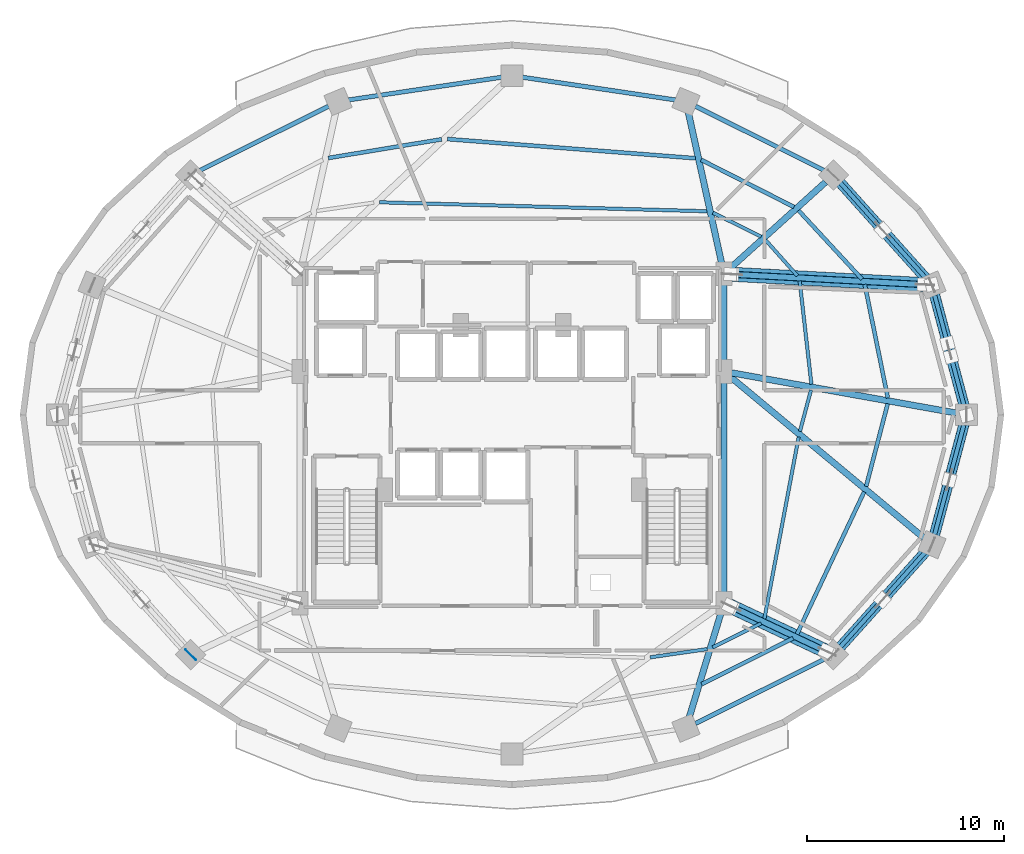
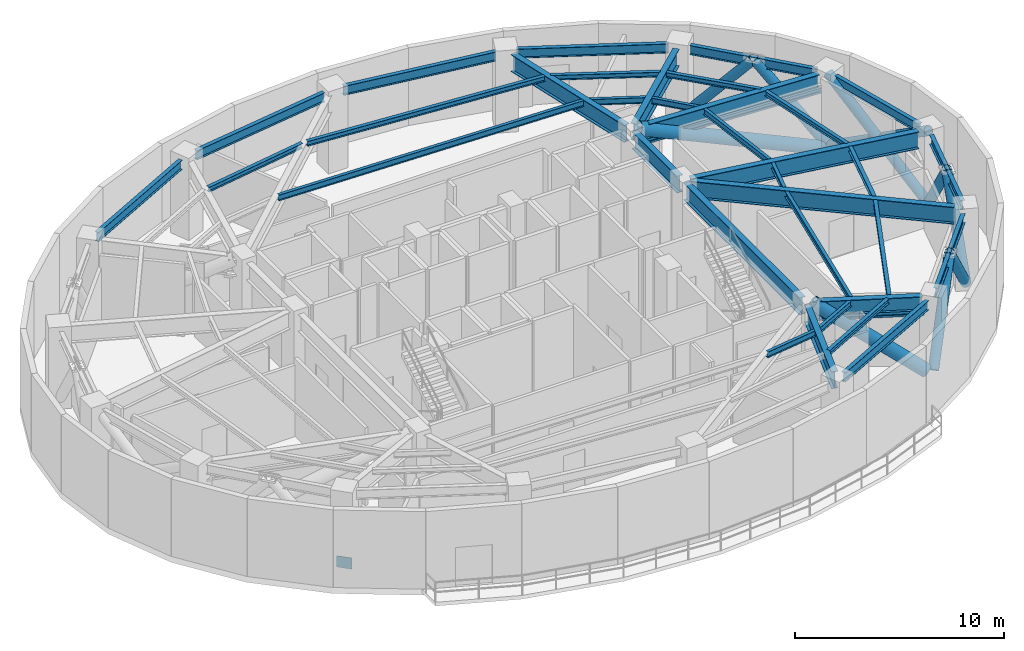
# One storey, part 2 of 11: 34 beams, 13 members, 1 plate.
"""IFC4 building model written with IfcOpenShell, lengths in metres."""

from ifc_helpers import new_model, si_unit, direction, frame, origin, origin_2d, place, context, subcontext, project, spatial, rectangle, hollow_rectangle, hollow_circle, i_section, extrude, material, layer, layer_set, material_profile, profile_set, type_object, element, save


model = new_model("IFC4")

# Units and contexts
model_context = context("Model", 3, precision=1e-05, world=origin(), true_north=direction((0.0, 1.0)))
body_context = subcontext(model_context, "Body", "Model", "MODEL_VIEW")
ifc_project = project(units=[si_unit("LENGTHUNIT", "METRE"), si_unit("AREAUNIT", "SQUARE_METRE"), si_unit("VOLUMEUNIT", "CUBIC_METRE"), si_unit("PLANEANGLEUNIT", "RADIAN"), si_unit("MASSUNIT", "GRAM", prefix="KILO")], contexts=[model_context])

# Site, building, storey
site_placement = place(None, origin())
site = spatial("IfcSite", under=ifc_project, at=site_placement, CompositionType="ELEMENT")
building_placement = place(site_placement, origin())
building = spatial("IfcBuilding", under=site, at=building_placement, Name="Vorneva Point Tower", CompositionType="ELEMENT")
storey_placement = place(building_placement, frame((0.0, 0.0, 124.300048828125)))
storey = spatial("IfcBuildingStorey", under=building, at=storey_placement, Name="L33", CompositionType="ELEMENT", Elevation=124.300048828125)

# Beams
ifc_material_1 = material(Name="Steel S460", Category="steel")
ifc_material_profile_1 = material_profile(ifc_material_1, i_section(OverallWidth=0.320068359375, OverallDepth=0.998046875, WebThickness=0.01708984375, FlangeThickness=0.027099609375, at=origin_2d()), Name="100Sh2")
ifc_profile_set_1 = profile_set([ifc_material_profile_1], Name="Steel S460")
beam_type_1 = type_object("IfcBeamType", Name="BM-GRD-100Sh2", PredefinedType="USERDEFINED", material=ifc_profile_set_1)
beam_1_placement = place(storey_placement, frame((60.5205078125, 26.0947265625, 4.041015625), z_axis=(-0.984378310682, 0.176066298476, 0.0), x_axis=(-0.176066298476, -0.984378310682, 0.0)))
element("IfcBeam", 1, at=beam_1_placement, inside=storey, type_object=beam_type_1, Name="L33 Radial Primary Girder 01", ObjectType="GIRDER", PredefinedType="USERDEFINED", context=body_context, shape_type="SweptSolid", body=[
    extrude(i_section(OverallWidth=0.320068359375, OverallDepth=0.998046875, WebThickness=0.01708984375, FlangeThickness=0.027099609375, at=origin_2d()), origin(), (0.0, 0.0, 1.0), 11.6171875),
])
beam_2_placement = place(storey_placement, frame((58.75830078125, 32.611083984375, 4.041015625), z_axis=(-0.998554075878, 0.053756465161, 0.0), x_axis=(-0.053756465161, -0.998554075878, 0.0)))
element("IfcBeam", 2, at=beam_2_placement, inside=storey, type_object=beam_type_1, Name="L33 Radial Primary Girder 02", ObjectType="GIRDER", PredefinedType="USERDEFINED", context=body_context, shape_type="SweptSolid", body=[
    extrude(i_section(OverallWidth=0.320068359375, OverallDepth=0.998046875, WebThickness=0.01708984375, FlangeThickness=0.027099609375, at=origin_2d()), origin(), (0.0, 0.0, 1.0), 9.6826171875),
])
beam_3_placement = place(storey_placement, frame((53.899658203125, 37.801513671875, 4.041015625), z_axis=(-0.742097300344, -0.670292172729, 0.0), x_axis=(0.670292172729, -0.742097300344, 0.0)))
element("IfcBeam", 3, at=beam_3_placement, inside=storey, type_object=beam_type_1, Name="L33 Radial Primary Girder 03", ObjectType="GIRDER", PredefinedType="USERDEFINED", context=body_context, shape_type="SweptSolid", body=[
    extrude(i_section(OverallWidth=0.320068359375, OverallDepth=0.998046875, WebThickness=0.01708984375, FlangeThickness=0.027099609375, at=origin_2d()), origin(), (0.0, 0.0, 1.0), 6.599365234375),
])
beam_4_placement = place(storey_placement, frame((46.936767578125, 41.365234375, 4.041015625), z_axis=(0.215530944428, -0.976497010745, 0.0), x_axis=(0.976497010745, 0.215530944428, 0.0)))
element("IfcBeam", 4, at=beam_4_placement, inside=storey, type_object=beam_type_1, Name="L33 Radial Primary Girder 04", ObjectType="GIRDER", PredefinedType="USERDEFINED", context=body_context, shape_type="SweptSolid", body=[
    extrude(i_section(OverallWidth=0.320068359375, OverallDepth=0.998046875, WebThickness=0.01708984375, FlangeThickness=0.027099609375, at=origin_2d()), origin(), (0.0, 0.0, 1.0), 8.072998046875),
])
beam_5_placement = place(storey_placement, frame((46.9775390625, 10.6240234375, 4.041015625), z_axis=(0.291034888253, 0.956712440506, 0.0), x_axis=(-0.956712440506, 0.291034888253, 0.0)))
element("IfcBeam", 5, at=beam_5_placement, inside=storey, type_object=beam_type_1, Name="L33 Radial Primary Girder 14", ObjectType="GIRDER", PredefinedType="USERDEFINED", context=body_context, shape_type="SweptSolid", body=[
    extrude(i_section(OverallWidth=0.320068359375, OverallDepth=0.998046875, WebThickness=0.01708984375, FlangeThickness=0.027099609375, at=origin_2d()), origin(), (0.0, 0.0, 1.0), 5.74951171875),
])
beam_6_placement = place(storey_placement, frame((53.81201171875, 14.06689453125, 4.041015625), z_axis=(-0.904751304927, 0.425940226126, 0.0), x_axis=(-0.425940226126, -0.904751304927, 0.0)))
element("IfcBeam", 6, at=beam_6_placement, inside=storey, type_object=beam_type_1, Name="L33 Radial Primary Girder 15", ObjectType="GIRDER", PredefinedType="USERDEFINED", context=body_context, shape_type="SweptSolid", body=[
    extrude(i_section(OverallWidth=0.320068359375, OverallDepth=0.998046875, WebThickness=0.01708984375, FlangeThickness=0.027099609375, at=origin_2d()), origin(), (0.0, 0.0, 1.0), 5.2548828125),
])
beam_7_placement = place(storey_placement, frame((58.882080078125, 19.76220703125, 4.041015625), z_axis=(-0.768431550428, 0.639931990376, 0.0), x_axis=(-0.639931990376, -0.768431550428, 0.0)))
element("IfcBeam", 7, at=beam_7_placement, inside=storey, type_object=beam_type_1, Name="L33 Radial Primary Girder 16", ObjectType="GIRDER", PredefinedType="USERDEFINED", context=body_context, shape_type="SweptSolid", body=[
    extrude(i_section(OverallWidth=0.320068359375, OverallDepth=0.998046875, WebThickness=0.01708984375, FlangeThickness=0.027099609375, at=origin_2d()), origin(), (0.0, 0.0, 1.0), 12.845458984375),
])
beam_8_placement = place(storey_placement, frame((48.75, 16.77001953125, 4.041015625), z_axis=(0.0, 1.0, 0.0), x_axis=(-1.0, 0.0, 0.0)))
element("IfcBeam", 8, at=beam_8_placement, inside=storey, type_object=beam_type_1, Name="L33 Core Tie Girder CT3", ObjectType="GIRDER", PredefinedType="USERDEFINED", context=body_context, shape_type="SweptSolid", body=[
    extrude(i_section(OverallWidth=0.320068359375, OverallDepth=0.998046875, WebThickness=0.01708984375, FlangeThickness=0.027099609375, at=origin_2d()), origin(), (0.0, 0.0, 1.0), 11.10986328125),
])
beam_9_placement = place(storey_placement, frame((48.75, 28.52001953125, 4.041015625), z_axis=(0.0, 1.0, 0.0), x_axis=(-1.0, 0.0, 0.0)))
element("IfcBeam", 9, at=beam_9_placement, inside=storey, type_object=beam_type_1, Name="L33 Core Tie Girder CT4", ObjectType="GIRDER", PredefinedType="USERDEFINED", context=body_context, shape_type="SweptSolid", body=[
    extrude(i_section(OverallWidth=0.320068359375, OverallDepth=0.998046875, WebThickness=0.01708984375, FlangeThickness=0.027099609375, at=origin_2d()), origin(), (0.0, 0.0, 1.0), 4.31005859375),
])
ifc_material_2 = material(Name="Steel S355", Category="steel")
ifc_material_profile_2 = material_profile(ifc_material_2, i_section(OverallWidth=0.199951171875, OverallDepth=0.291015625, WebThickness=0.008056640625, FlangeThickness=0.010986328125, at=origin_2d()), Name="30Sh1")
ifc_profile_set_2 = profile_set([ifc_material_profile_2], Name="Steel S355")
beam_type_2 = type_object("IfcBeamType", Name="BM-SEC-30Sh1", PredefinedType="BEAM", material=ifc_profile_set_2)
beam_10_placement = place(storey_placement, frame((57.060302734375, 26.853515625, 4.39453125), z_axis=(-0.199273376836, 0.979943937827, 0.0), x_axis=(-0.979943937827, -0.199273376836, 0.0)))
element("IfcBeam", 10, at=beam_10_placement, inside=storey, type_object=beam_type_2, Name="L33 Secondary Floor Beam 1.01", PredefinedType="BEAM", context=body_context, shape_type="SweptSolid", body=[
    extrude(i_section(OverallWidth=0.199951171875, OverallDepth=0.291015625, WebThickness=0.008056640625, FlangeThickness=0.010986328125, at=origin_2d()), origin(), (0.0, 0.0, 1.0), 5.886962890625),
])
beam_11_placement = place(storey_placement, frame((55.757080078125, 32.8759765625, 4.39453125), z_axis=(-0.678821862052, 0.734302988964, 0.0), x_axis=(-0.734302988964, -0.678821862052, 0.0)))
element("IfcBeam", 11, at=beam_11_placement, inside=storey, type_object=beam_type_2, Name="L33 Secondary Floor Beam 1.02", PredefinedType="BEAM", context=body_context, shape_type="SweptSolid", body=[
    extrude(i_section(OverallWidth=0.199951171875, OverallDepth=0.291015625, WebThickness=0.008056640625, FlangeThickness=0.010986328125, at=origin_2d()), origin(), (0.0, 0.0, 1.0), 4.75244140625),
])
beam_12_placement = place(storey_placement, frame((52.298583984375, 36.54150390625, 4.39453125), z_axis=(-0.89153293494, 0.452955876347, 0.0), x_axis=(-0.452955876347, -0.89153293494, 0.0)))
element("IfcBeam", 12, at=beam_12_placement, inside=storey, type_object=beam_type_2, Name="L33 Secondary Floor Beam 1.03", PredefinedType="BEAM", context=body_context, shape_type="SweptSolid", body=[
    extrude(i_section(OverallWidth=0.199951171875, OverallDepth=0.291015625, WebThickness=0.008056640625, FlangeThickness=0.010986328125, at=origin_2d()), origin(), (0.0, 0.0, 1.0), 5.280517578125),
])
beam_13_placement = place(storey_placement, frame((47.311279296875, 39.01171875, 4.39453125), z_axis=(-0.997018321622, 0.077165188721, 0.0), x_axis=(-0.077165188721, -0.997018321622, 0.0)))
element("IfcBeam", 13, at=beam_13_placement, inside=storey, type_object=beam_type_2, Name="L33 Secondary Floor Beam 1.04", PredefinedType="BEAM", context=body_context, shape_type="SweptSolid", body=[
    extrude(i_section(OverallWidth=0.199951171875, OverallDepth=0.291015625, WebThickness=0.008056640625, FlangeThickness=0.010986328125, at=origin_2d()), origin(), (0.0, 0.0, 1.0), 12.626953125),
])
beam_14_placement = place(storey_placement, frame((34.428466796875, 39.973388671875, 4.39453125), z_axis=(-0.986613020875, -0.163078959523, 0.0), x_axis=(0.163078959523, -0.986613020875, 0.0)))
element("IfcBeam", 14, at=beam_14_placement, inside=storey, type_object=beam_type_2, Name="L33 Secondary Floor Beam 1.05", PredefinedType="BEAM", context=body_context, shape_type="SweptSolid", body=[
    extrude(i_section(OverallWidth=0.199951171875, OverallDepth=0.291015625, WebThickness=0.008056640625, FlangeThickness=0.010986328125, at=origin_2d()), origin(), (0.0, 0.0, 1.0), 5.819091796875),
])
beam_15_placement = place(storey_placement, frame((47.61181640625, 12.340576171875, 4.39453125), z_axis=(0.893598428957, 0.448867294159, 0.0), x_axis=(-0.448867294159, 0.893598428957, 0.0)))
element("IfcBeam", 15, at=beam_15_placement, inside=storey, type_object=beam_type_2, Name="L33 Secondary Floor Beam 1.14", PredefinedType="BEAM", context=body_context, shape_type="SweptSolid", body=[
    extrude(i_section(OverallWidth=0.199951171875, OverallDepth=0.291015625, WebThickness=0.008056640625, FlangeThickness=0.010986328125, at=origin_2d()), origin(), (0.0, 0.0, 1.0), 5.1943359375),
])
beam_16_placement = place(storey_placement, frame((52.448974609375, 14.872314453125, 4.39453125), z_axis=(0.426836178817, 0.904328964732, 0.0), x_axis=(-0.904328964732, 0.426836178817, 0.0)))
element("IfcBeam", 16, at=beam_16_placement, inside=storey, type_object=beam_type_2, Name="L33 Secondary Floor Beam 1.15", PredefinedType="BEAM", context=body_context, shape_type="SweptSolid", body=[
    extrude(i_section(OverallWidth=0.199951171875, OverallDepth=0.291015625, WebThickness=0.008056640625, FlangeThickness=0.010986328125, at=origin_2d()), origin(), (0.0, 0.0, 1.0), 7.98583984375),
])
beam_17_placement = place(storey_placement, frame((55.958251953125, 22.371337890625, 4.39453125), z_axis=(0.252410431926, 0.967620263251, 0.0), x_axis=(-0.967620263251, 0.252410431926, 0.0)))
element("IfcBeam", 17, at=beam_17_placement, inside=storey, type_object=beam_type_2, Name="L33 Secondary Floor Beam 1.16", PredefinedType="BEAM", context=body_context, shape_type="SweptSolid", body=[
    extrude(i_section(OverallWidth=0.199951171875, OverallDepth=0.291015625, WebThickness=0.008056640625, FlangeThickness=0.010986328125, at=origin_2d()), origin(), (0.0, 0.0, 1.0), 4.334228515625),
])
ifc_material_profile_3 = material_profile(ifc_material_2, i_section(OverallWidth=0.174072265625, OverallDepth=0.345947265625, WebThickness=0.006103515625, FlangeThickness=0.009033203125, at=origin_2d()), Name="35B1")
ifc_profile_set_3 = profile_set([ifc_material_profile_3], Name="Steel S355")
beam_type_3 = type_object("IfcBeamType", Name="BM-SEC-35B1", PredefinedType="BEAM", material=ifc_profile_set_3)
beam_18_placement = place(storey_placement, frame((53.184814453125, 27.55078125, 4.366943359375), z_axis=(-0.113232321266, 0.993568538864, 0.0), x_axis=(-0.993568538864, -0.113232321266, 0.0)))
element("IfcBeam", 18, at=beam_18_placement, inside=storey, type_object=beam_type_3, Name="L33 Secondary Floor Beam 2.01", PredefinedType="BEAM", context=body_context, shape_type="SweptSolid", body=[
    extrude(i_section(OverallWidth=0.174072265625, OverallDepth=0.345947265625, WebThickness=0.006103515625, FlangeThickness=0.009033203125, at=origin_2d()), origin(), (0.0, 0.0, 1.0), 5.2802734375),
])
beam_19_placement = place(storey_placement, frame((52.4716796875, 33.0546875, 4.366943359375), z_axis=(-0.665128238438, 0.746729151991, 0.0), x_axis=(-0.746729151991, -0.665128238438, 0.0)))
element("IfcBeam", 19, at=beam_19_placement, inside=storey, type_object=beam_type_3, Name="L33 Secondary Floor Beam 2.02", PredefinedType="BEAM", context=body_context, shape_type="SweptSolid", body=[
    extrude(i_section(OverallWidth=0.174072265625, OverallDepth=0.345947265625, WebThickness=0.006103515625, FlangeThickness=0.009033203125, at=origin_2d()), origin(), (0.0, 0.0, 1.0), 2.41748046875),
])
beam_20_placement = place(storey_placement, frame((50.6328125, 35.036376953125, 4.366943359375), z_axis=(-0.895477689977, 0.445106399363, 0.0), x_axis=(-0.445106399363, -0.895477689977, 0.0)))
element("IfcBeam", 20, at=beam_20_placement, inside=storey, type_object=beam_type_3, Name="L33 Secondary Floor Beam 2.03", PredefinedType="BEAM", context=body_context, shape_type="SweptSolid", body=[
    extrude(i_section(OverallWidth=0.174072265625, OverallDepth=0.345947265625, WebThickness=0.006103515625, FlangeThickness=0.009033203125, at=origin_2d()), origin(), (0.0, 0.0, 1.0), 2.73583984375),
])
beam_21_placement = place(storey_placement, frame((47.90234375, 36.323974609375, 4.366943359375), z_axis=(-0.999623191311, 0.02744950626, 0.0), x_axis=(-0.02744950626, -0.999623191311, 0.0)))
element("IfcBeam", 21, at=beam_21_placement, inside=storey, type_object=beam_type_3, Name="L33 Secondary Floor Beam 2.04", PredefinedType="BEAM", context=body_context, shape_type="SweptSolid", body=[
    extrude(i_section(OverallWidth=0.174072265625, OverallDepth=0.345947265625, WebThickness=0.006103515625, FlangeThickness=0.009033203125, at=origin_2d()), origin(), (0.0, 0.0, 1.0), 16.623291015625),
])
beam_22_placement = place(storey_placement, frame((45.007080078125, 13.703369140625, 4.366943359375), z_axis=(0.989643423041, 0.143547536484, 0.0), x_axis=(-0.143547536484, 0.989643423041, 0.0)))
element("IfcBeam", 22, at=beam_22_placement, inside=storey, type_object=beam_type_3, Name="L33 Secondary Floor Beam 2.13", PredefinedType="BEAM", context=body_context, shape_type="SweptSolid", body=[
    extrude(i_section(OverallWidth=0.174072265625, OverallDepth=0.345947265625, WebThickness=0.006103515625, FlangeThickness=0.009033203125, at=origin_2d()), origin(), (0.0, 0.0, 1.0), 2.92529296875),
])
beam_23_placement = place(storey_placement, frame((48.180908203125, 14.21044921875, 4.366943359375), z_axis=(0.895120212306, 0.445824859693, 0.0), x_axis=(-0.445824859693, 0.895120212306, 0.0)))
element("IfcBeam", 23, at=beam_23_placement, inside=storey, type_object=beam_type_3, Name="L33 Secondary Floor Beam 2.14", PredefinedType="BEAM", context=body_context, shape_type="SweptSolid", body=[
    extrude(i_section(OverallWidth=0.174072265625, OverallDepth=0.345947265625, WebThickness=0.006103515625, FlangeThickness=0.009033203125, at=origin_2d()), origin(), (0.0, 0.0, 1.0), 2.74365234375),
])
beam_24_placement = place(storey_placement, frame((50.796630859375, 15.64501953125, 4.366943359375), z_axis=(0.18527529578, 0.982686656454, 0.0), x_axis=(-0.982686656454, 0.18527529578, 0.0)))
element("IfcBeam", 24, at=beam_24_placement, inside=storey, type_object=beam_type_3, Name="L33 Secondary Floor Beam 2.15", PredefinedType="BEAM", context=body_context, shape_type="SweptSolid", body=[
    extrude(i_section(OverallWidth=0.174072265625, OverallDepth=0.345947265625, WebThickness=0.006103515625, FlangeThickness=0.009033203125, at=origin_2d()), origin(), (0.0, 0.0, 1.0), 9.395263671875),
])
beam_25_placement = place(storey_placement, frame((52.60302734375, 25.166015625, 4.366943359375), z_axis=(0.258398394234, 0.96603844119, 0.0), x_axis=(-0.96603844119, 0.258398394234, 0.0)))
element("IfcBeam", 25, at=beam_25_placement, inside=storey, type_object=beam_type_3, Name="L33 Secondary Floor Beam 2.16", PredefinedType="BEAM", context=body_context, shape_type="SweptSolid", body=[
    extrude(i_section(OverallWidth=0.174072265625, OverallDepth=0.345947265625, WebThickness=0.006103515625, FlangeThickness=0.009033203125, at=origin_2d()), origin(), (0.0, 0.0, 1.0), 2.16845703125),
])
ifc_material_profile_4 = material_profile(ifc_material_2, i_section(OverallWidth=0.219970703125, OverallDepth=0.54296875, WebThickness=0.009521484375, FlangeThickness=0.013427734375, at=origin_2d()), Name="55B1")
ifc_profile_set_4 = profile_set([ifc_material_profile_4], Name="Steel S355")
beam_type_4 = type_object("IfcBeamType", Name="BM-SPN-55B1", PredefinedType="SPANDREL", material=ifc_profile_set_4)
beam_26_placement = place(storey_placement, frame((60.912109375, 26.516845703125, 4.2685546875), z_axis=(-0.257572674071, 0.966258928845, 0.0), x_axis=(-0.966258928845, -0.257572674071, 0.0)))
element("IfcBeam", 26, at=beam_26_placement, inside=storey, type_object=beam_type_4, Name="L33 Perimeter Spandrel Ring Beam 01", PredefinedType="SPANDREL", context=body_context, shape_type="SweptSolid", body=[
    extrude(i_section(OverallWidth=0.219970703125, OverallDepth=0.54296875, WebThickness=0.009521484375, FlangeThickness=0.013427734375, at=origin_2d()), origin(), (0.0, 0.0, 1.0), 5.7421875),
])
beam_27_placement = place(storey_placement, frame((58.9384765625, 32.980712890625, 4.2685546875), z_axis=(-0.667073815664, 0.744991627105, 0.0), x_axis=(-0.744991627105, -0.667073815664, 0.0)))
element("IfcBeam", 27, at=beam_27_placement, inside=storey, type_object=beam_type_4, Name="L33 Perimeter Spandrel Ring Beam 02", PredefinedType="SPANDREL", context=body_context, shape_type="SweptSolid", body=[
    extrude(i_section(OverallWidth=0.219970703125, OverallDepth=0.54296875, WebThickness=0.009521484375, FlangeThickness=0.013427734375, at=origin_2d()), origin(), (0.0, 0.0, 1.0), 6.420166015625),
])
beam_28_placement = place(storey_placement, frame((53.820068359375, 38.40087890625, 4.2685546875), z_axis=(-0.894915882304, 0.446234874926, 0.0), x_axis=(-0.446234874926, -0.894915882304, 0.0)))
element("IfcBeam", 28, at=beam_28_placement, inside=storey, type_object=beam_type_4, Name="L33 Perimeter Spandrel Ring Beam 03", PredefinedType="SPANDREL", context=body_context, shape_type="SweptSolid", body=[
    extrude(i_section(OverallWidth=0.219970703125, OverallDepth=0.54296875, WebThickness=0.009521484375, FlangeThickness=0.013427734375, at=origin_2d()), origin(), (0.0, 0.0, 1.0), 7.285888671875),
])
for number, where, z_axis, x_axis, name in (
    (29, (46.291748046875, 41.96923828125, 4.2685546875), (-0.989164507783, 0.146811363806, 0.0), (-0.146811363806, -0.989164507783, 0.0), "L33 Perimeter Spandrel Ring Beam 04"),
    (30, (37.470703125, 43.121337890625, 4.2685546875), (-0.989164507783, -0.146811363806, 0.0), (0.146811363806, -0.989164507783, 0.0), "L33 Perimeter Spandrel Ring Beam 05"),
):
    element("IfcBeam", number, at=place(storey_placement, frame(where, z_axis=z_axis, x_axis=x_axis)), inside=storey, type_object=beam_type_4, Name=name, PredefinedType="SPANDREL", context=body_context, shape_type="SweptSolid", body=[
        extrude(i_section(OverallWidth=0.219970703125, OverallDepth=0.54296875, WebThickness=0.009521484375, FlangeThickness=0.013427734375, at=origin_2d()), origin(), (0.0, 0.0, 1.0), 7.847412109375),
    ])
for number, where, z_axis, x_axis, name in (
    (31, (28.7001953125, 41.652099609375, 4.2685546875), (-0.894915882304, -0.446234874926, 0.0), (0.446234874926, -0.894915882304, 0.0), "L33 Perimeter Spandrel Ring Beam 06"),
    (32, (47.2998046875, 10.347900390625, 4.2685546875), (0.894915882304, 0.446234874926, 0.0), (-0.446234874926, 0.894915882304, 0.0), "L33 Perimeter Spandrel Ring Beam 14"),
):
    element("IfcBeam", number, at=place(storey_placement, frame(where, z_axis=z_axis, x_axis=x_axis)), inside=storey, type_object=beam_type_4, Name=name, PredefinedType="SPANDREL", context=body_context, shape_type="SweptSolid", body=[
        extrude(i_section(OverallWidth=0.219970703125, OverallDepth=0.54296875, WebThickness=0.009521484375, FlangeThickness=0.013427734375, at=origin_2d()), origin(), (0.0, 0.0, 1.0), 7.285888671875),
    ])
beam_29_placement = place(storey_placement, frame((54.65576171875, 14.236328125, 4.2685546875), z_axis=(0.667073815664, 0.744991627105, 0.0), x_axis=(-0.744991627105, 0.667073815664, 0.0)))
element("IfcBeam", 33, at=beam_29_placement, inside=storey, type_object=beam_type_4, Name="L33 Perimeter Spandrel Ring Beam 15", PredefinedType="SPANDREL", context=body_context, shape_type="SweptSolid", body=[
    extrude(i_section(OverallWidth=0.219970703125, OverallDepth=0.54296875, WebThickness=0.009521484375, FlangeThickness=0.013427734375, at=origin_2d()), origin(), (0.0, 0.0, 1.0), 6.420166015625),
])
beam_30_placement = place(storey_placement, frame((59.43310546875, 19.934814453125, 4.2685546875), z_axis=(0.257572674071, 0.966258928845, 0.0), x_axis=(-0.966258928845, 0.257572674071, 0.0)))
element("IfcBeam", 34, at=beam_30_placement, inside=storey, type_object=beam_type_4, Name="L33 Perimeter Spandrel Ring Beam 16", PredefinedType="SPANDREL", context=body_context, shape_type="SweptSolid", body=[
    extrude(i_section(OverallWidth=0.219970703125, OverallDepth=0.54296875, WebThickness=0.009521484375, FlangeThickness=0.013427734375, at=origin_2d()), origin(), (0.0, 0.0, 1.0), 5.7421875),
])

# Members
ifc_material_profile_5 = material_profile(ifc_material_1, hollow_circle(Radius=0.264892578125, WallThickness=0.02001953125, at=origin_2d()), Name="CHS 530x20")
ifc_profile_set_5 = profile_set([ifc_material_profile_5], Name="Steel S460")
member_type_1 = type_object("IfcMemberType", Name="MBR-BLT-CHS530", PredefinedType="BRACE", material=ifc_profile_set_5)
member_1_placement = place(storey_placement, frame((61.050048828125, 26.0, 0.119873046875), z_axis=(-0.218244426041, 0.81871267156, 0.531111035406), x_axis=(-0.966258134442, -0.257575654176, 0.0)))
element("IfcMember", 35, at=member_1_placement, inside=storey, type_object=member_type_1, Name="L33 Perimeter Belt-Truss Continuous X-Brace 01A", PredefinedType="BRACE", context=body_context, shape_type="SweptSolid", body=[
    extrude(hollow_circle(Radius=0.264892578125, WallThickness=0.02001953125, at=origin_2d()), origin(), (0.0, 0.0, 1.0), 8.039794921875),
])
for number, where, z_axis, x_axis, name in (
    (36, (59.29541015625, 32.582275390625, 0.119873046875), (0.218231606763, -0.818709512247, 0.53112117296), (0.966261652504, 0.257562456311, 0.0), "L33 Perimeter Belt-Truss Split X-Brace 01B1"),
    (37, (60.268798828125, 28.930908203125, 2.48876953125), (0.218239511268, -0.818739166489, 0.5310722107), (0.966261652504, 0.257562456311, 0.0), "L33 Perimeter Belt-Truss Split X-Brace 01B2"),
):
    element("IfcMember", number, at=place(storey_placement, frame(where, z_axis=z_axis, x_axis=x_axis)), inside=storey, type_object=member_type_1, Name=name, PredefinedType="BRACE", context=body_context, shape_type="SweptSolid", body=[
        extrude(hollow_circle(Radius=0.264892578125, WallThickness=0.02001953125, at=origin_2d()), origin(), (0.0, 0.0, 1.0), 3.579833984375),
    ])
for number, where, z_axis, x_axis, name in (
    (38, (59.29541015625, 32.582275390625, 0.119873046875), (-0.439864217796, 0.491231142478, 0.751805449942), (-0.744983810219, -0.6670825455, 0.0), "L33 Perimeter Belt-Truss Diagonal 02A"),
    (39, (54.298828125, 38.162109375, 0.119873046875), (0.439873505641, -0.491198529166, 0.751821324505), (0.744954798906, 0.66711494331, 0.0), "L33 Perimeter Belt-Truss Diagonal 02B"),
    (40, (54.298828125, 13.837890625, 0.119873046875), (0.439873505641, 0.491198529166, 0.751821324505), (-0.744954798906, 0.66711494331, 0.0), "L33 Perimeter Belt-Truss Diagonal 15A"),
    (41, (59.29541015625, 19.417724609375, 0.119873046875), (-0.439864217796, -0.491231142478, 0.751805449942), (0.744983810219, -0.6670825455, 0.0), "L33 Perimeter Belt-Truss Diagonal 15B"),
):
    element("IfcMember", number, at=place(storey_placement, frame(where, z_axis=z_axis, x_axis=x_axis)), inside=storey, type_object=member_type_1, Name=name, PredefinedType="BRACE", context=body_context, shape_type="SweptSolid", body=[
        extrude(hollow_circle(Radius=0.264892578125, WallThickness=0.02001953125, at=origin_2d()), origin(), (0.0, 0.0, 1.0), 5.6796875),
    ])
member_2_placement = place(storey_placement, frame((59.29541015625, 19.417724609375, 0.119873046875), z_axis=(0.160596005205, 0.602559072132, 0.781748992774), x_axis=(-0.96626943078, 0.257533273851, 0.0)))
element("IfcMember", 42, at=member_2_placement, inside=storey, type_object=member_type_1, Name="L33 Perimeter Belt-Truss Diagonal 16A", PredefinedType="BRACE", context=body_context, shape_type="SweptSolid", body=[
    extrude(hollow_circle(Radius=0.264892578125, WallThickness=0.02001953125, at=origin_2d()), origin(), (0.0, 0.0, 1.0), 5.462158203125),
])
member_3_placement = place(storey_placement, frame((61.050048828125, 26.0, 0.119873046875), z_axis=(-0.160643875249, -0.602526276669, 0.78176443464), x_axis=(0.966246835672, -0.257618036158, 0.0)))
element("IfcMember", 43, at=member_3_placement, inside=storey, type_object=member_type_1, Name="L33 Perimeter Belt-Truss Diagonal 16B", PredefinedType="BRACE", context=body_context, shape_type="SweptSolid", body=[
    extrude(hollow_circle(Radius=0.264892578125, WallThickness=0.02001953125, at=origin_2d()), origin(), (0.0, 0.0, 1.0), 5.4619140625),
])
ifc_material_profile_6 = material_profile(ifc_material_1, hollow_circle(Radius=0.360107421875, WallThickness=0.02490234375, at=origin_2d()), Name="CHS 720x25")
ifc_profile_set_6 = profile_set([ifc_material_profile_6], Name="Steel S460")
member_type_2 = type_object("IfcMemberType", Name="MBR-OUT-CHS720", PredefinedType="BRACE", material=ifc_profile_set_6)
member_4_placement = place(storey_placement, frame((49.099609375, 33.131103515625, 4.389892578125), z_axis=(0.916325364434, -0.049326614584, -0.397384840663), x_axis=(0.053753069566, 0.998554258672, 0.0)))
element("IfcMember", 44, at=member_4_placement, inside=storey, type_object=member_type_2, Name="L33 Core Outrigger Diagonal 02A", PredefinedType="BRACE", context=body_context, shape_type="SweptSolid", body=[
    extrude(hollow_circle(Radius=0.360107421875, WallThickness=0.02490234375, at=origin_2d()), origin(), (0.0, 0.0, 1.0), 10.745361328125),
])
member_5_placement = place(storey_placement, frame((49.066650390625, 16.30078125, 4.389892578125), z_axis=(0.711350828133, -0.334865558212, -0.61793612715), x_axis=(0.425913894715, 0.904763700802, 0.0)))
element("IfcMember", 45, at=member_5_placement, inside=storey, type_object=member_type_2, Name="L33 Core Outrigger Diagonal 15A", PredefinedType="BRACE", context=body_context, shape_type="SweptSolid", body=[
    extrude(hollow_circle(Radius=0.360107421875, WallThickness=0.02490234375, at=origin_2d()), origin(), (0.0, 0.0, 1.0), 6.91015625),
])
ifc_material_profile_7 = material_profile(ifc_material_2, hollow_rectangle(XDim=0.300048828125, YDim=0.300048828125, WallThickness=0.013916015625, at=origin_2d()), Name="PK 300x300x14")
ifc_profile_set_7 = profile_set([ifc_material_profile_7], Name="Steel S355")
member_type_3 = type_object("IfcMemberType", Name="MBR-STR-PK300", PredefinedType="STRUT", material=ifc_profile_set_7)
member_6_placement = place(storey_placement, frame((49.19921875, 33.125732421875, 3.570068359375), z_axis=(0.998554359032, -0.053751205185, 0.0), x_axis=(0.053751205185, 0.998554359032, 0.0)))
element("IfcMember", 46, at=member_6_placement, inside=storey, type_object=member_type_3, Name="L33 Core Outrigger Collector Strut 02B", PredefinedType="STRUT", context=body_context, shape_type="SweptSolid", body=[
    extrude(hollow_rectangle(XDim=0.300048828125, YDim=0.300048828125, WallThickness=0.013916015625, at=origin_2d()), origin(), (0.0, 0.0, 1.0), 9.660888671875),
])
member_7_placement = place(storey_placement, frame((49.156982421875, 16.25830078125, 3.570068359375), z_axis=(0.904766886759, -0.425907126758, 0.0), x_axis=(0.425907126758, 0.904766886759, 0.0)))
element("IfcMember", 47, at=member_7_placement, inside=storey, type_object=member_type_3, Name="L33 Core Outrigger Collector Strut 15B", PredefinedType="STRUT", context=body_context, shape_type="SweptSolid", body=[
    extrude(hollow_rectangle(XDim=0.300048828125, YDim=0.300048828125, WallThickness=0.013916015625, at=origin_2d()), origin(), (0.0, 0.0, 1.0), 5.23291015625),
])

# Plate
ifc_layer = layer(ifc_material_1, 0.031982421875)
ifc_layer_set = layer_set([ifc_layer], Name="Steel S460")
plate_type = type_object("IfcPlateType", Name="PLT-GUS-32", PredefinedType="USERDEFINED", material=ifc_layer_set)
plate_placement = place(storey_placement, frame((21.701171875, 13.837890625, -0.054931640625), z_axis=(0.0, 0.0, 1.0), x_axis=(0.707106781187, -0.707106781187, 0.0)))
element("IfcPlate", 48, at=plate_placement, inside=storey, type_object=plate_type, Name="L33 Belt-Truss Column Base Gusset Plate 11", ObjectType="GUSSET PLATE", PredefinedType="USERDEFINED", context=body_context, shape_type="SweptSolid", body=[
    extrude(rectangle(XDim=0.75, YDim=0.031982421875, at=origin_2d()), origin(), (0.0, 0.0, 1.0), 0.64990234375),
])

save(model, "model.ifc")
